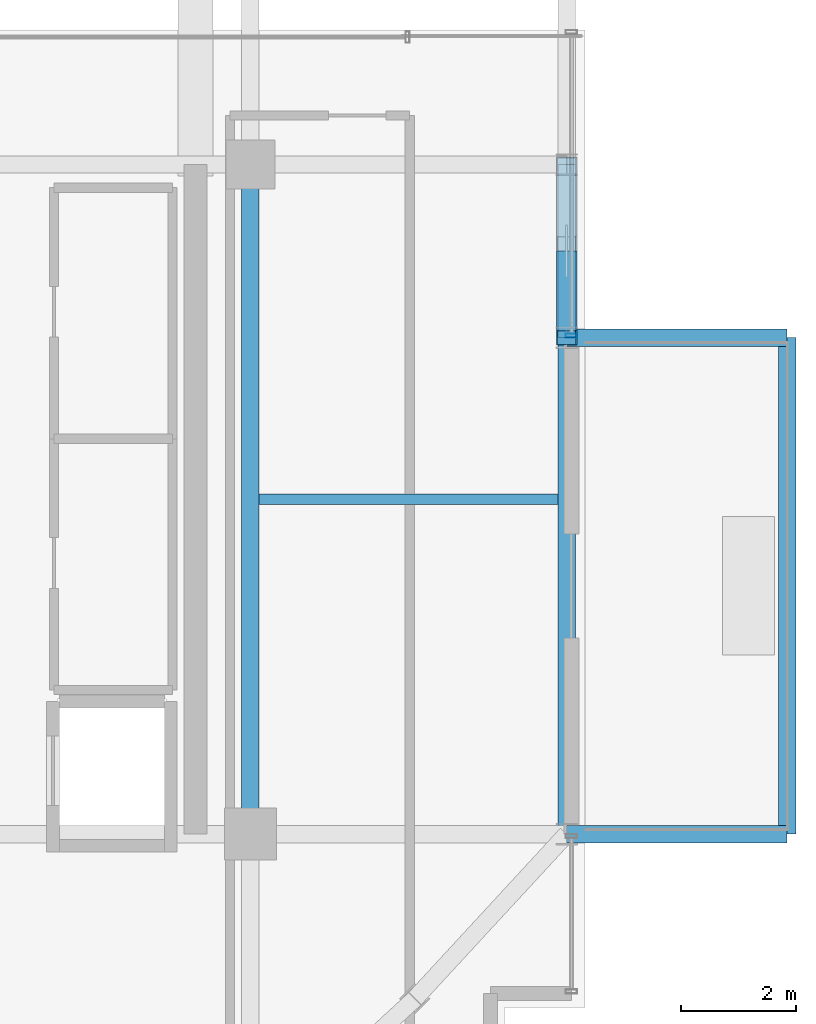
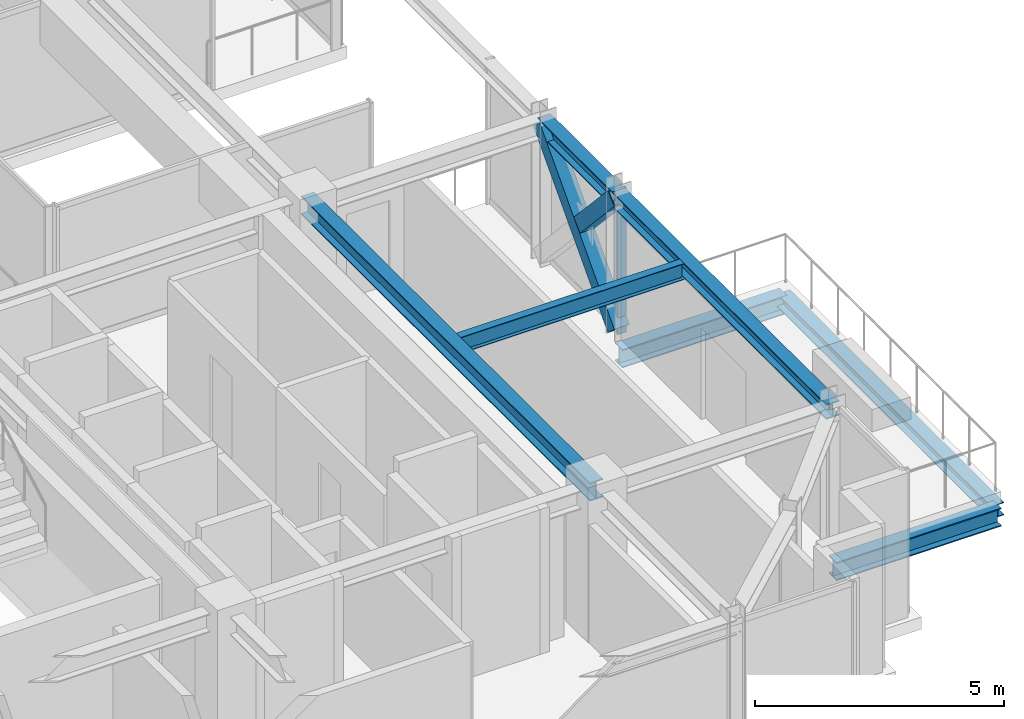
# One storey, part 18 of 39: 7 beams, 3 members, 1 element without a shape of its own.
"""IFC4 building model written with IfcOpenShell, lengths in metres."""

from ifc_helpers import new_model, si_unit, direction, frame, origin, origin_2d, place, context, subcontext, project, spatial, hollow_rectangle, i_section, extrude, source, transform, mapped, material, material_profile, profile_set, type_object, element, aggregate, save


model = new_model("IFC4")

# Units and contexts
model_context = context("Model", 3, precision=1e-05, world=origin(), true_north=direction((0.0, 1.0)))
body_context = subcontext(model_context, "Body", "Model", "MODEL_VIEW")
ifc_project = project(units=[si_unit("LENGTHUNIT", "METRE"), si_unit("AREAUNIT", "SQUARE_METRE"), si_unit("VOLUMEUNIT", "CUBIC_METRE"), si_unit("PLANEANGLEUNIT", "RADIAN"), si_unit("MASSUNIT", "GRAM", prefix="KILO")], contexts=[model_context])

# Site, building, storey
site_placement = place(None, origin())
site = spatial("IfcSite", under=ifc_project, at=site_placement, CompositionType="ELEMENT")
building_placement = place(site_placement, origin())
building = spatial("IfcBuilding", under=site, at=building_placement, Name="Nahalor Promenade Grand Hotel", CompositionType="ELEMENT")
storey_placement = place(building_placement, frame((0.0, 0.0, 311.89990234375)))
storey = spatial("IfcBuildingStorey", under=building, at=storey_placement, Name="L80", CompositionType="ELEMENT", Elevation=311.89990234375)

# Beams
ifc_material_1 = material(Name="Steel S355JR", Category="steel")
ifc_material_profile_1 = material_profile(ifc_material_1, i_section(OverallWidth=0.3, OverallDepth=0.32, WebThickness=0.0115, FlangeThickness=0.0205, at=origin_2d()), Name="HEB 320")
ifc_profile_set_1 = profile_set([ifc_material_profile_1], Name="Steel S355JR")
beam_type_1 = type_object("IfcBeamType", Name="Beam-BalcEdge-HEB320", PredefinedType="SPANDREL", material=ifc_profile_set_1)
shared_shape_1 = source(origin(), body_context, "Body", "SweptSolid", [
    extrude(i_section(OverallWidth=0.3, OverallDepth=0.32, WebThickness=0.0115, FlangeThickness=0.0205, at=origin_2d()), origin(), (0.0, 0.0, 1.0), 8.60009765625),
])
beam_1_placement = place(storey_placement, frame((26.300048828125, -17.0, -0.43994140625), z_axis=(0.0, 1.0, 0.0), x_axis=(-1.0, 0.0, 0.0)))
element("IfcBeam", 1, at=beam_1_placement, inside=storey, type_object=beam_type_1, Name="BM-L80-BC-02-F", PredefinedType="SPANDREL", context=body_context, shape_type="MappedRepresentation", body=[
    mapped(shared_shape_1, transform((0.0, 0.0, 0.0), scale=1.0)),
])
ifc_material_profile_2 = material_profile(ifc_material_1, i_section(OverallWidth=0.3, OverallDepth=0.45, WebThickness=0.014, FlangeThickness=0.026, at=origin_2d()), Name="HEB 450")
ifc_profile_set_2 = profile_set([ifc_material_profile_2], Name="Steel S355JR")
beam_type_2 = type_object("IfcBeamType", Name="Beam-Outrigger-HEB450", PredefinedType="BEAM", material=ifc_profile_set_2)
shared_shape_2 = source(origin(), body_context, "Body", "SweptSolid", [
    extrude(i_section(OverallWidth=0.3, OverallDepth=0.45, WebThickness=0.014, FlangeThickness=0.026, at=origin_2d()), origin(), (0.0, 0.0, 1.0), 3.820068359375),
])
for number, where, z_axis, x_axis, name in (
    (2, (22.47998046875, -17.0, -0.5048828125), (1.0, 0.0, 0.0), (0.0, 1.0, 0.0), "BM-L80-BC-02-1"),
    (3, (22.47998046875, -8.39990234375, -0.5048828125), (1.0, 0.0, 0.0), (0.0, 1.0, 0.0), "BM-L80-BC-02-2"),
):
    element("IfcBeam", number, at=place(storey_placement, frame(where, z_axis=z_axis, x_axis=x_axis)), inside=storey, type_object=beam_type_2, Name=name, PredefinedType="BEAM", context=body_context, shape_type="MappedRepresentation", body=[
        mapped(shared_shape_2, transform((0.0, 0.0, 0.0), scale=1.0)),
    ])
ifc_material_profile_3 = material_profile(ifc_material_1, i_section(OverallWidth=0.3, OverallDepth=0.45, WebThickness=0.014, FlangeThickness=0.026, at=origin_2d()), Name="HEB 450")
ifc_profile_set_3 = profile_set([ifc_material_profile_3], Name="Steel S355JR")
beam_type_3 = type_object("IfcBeamType", Name="Beam-Girder-HEB450", PredefinedType="BEAM", material=ifc_profile_set_3)
shared_shape_3 = source(origin(), body_context, "Body", "SweptSolid", [
    extrude(i_section(OverallWidth=0.3, OverallDepth=0.45, WebThickness=0.014, FlangeThickness=0.026, at=origin_2d()), origin(), (0.0, 0.0, 1.0), 11.60009765625),
])
beam_2_placement = place(storey_placement, frame((17.0, -17.0, 3.3251953125), z_axis=(0.0, 1.0, 0.0), x_axis=(-1.0, 0.0, 0.0)))
element("IfcBeam", 4, at=beam_2_placement, inside=storey, type_object=beam_type_3, Name="BM-L80-GY-5-1", PredefinedType="BEAM", context=body_context, shape_type="MappedRepresentation", body=[
    mapped(shared_shape_3, transform((0.0, 0.0, 0.0), scale=1.0)),
])
ifc_material_profile_4 = material_profile(ifc_material_1, i_section(OverallWidth=0.18, OverallDepth=0.4, WebThickness=0.0086, FlangeThickness=0.0135, at=origin_2d()), Name="IPE 400")
ifc_profile_set_4 = profile_set([ifc_material_profile_4], Name="Steel S355JR")
beam_type_4 = type_object("IfcBeamType", Name="Beam-Joist-IPE400", PredefinedType="JOIST", material=ifc_profile_set_4)
shared_shape_4 = source(origin(), body_context, "Body", "SweptSolid", [
    extrude(i_section(OverallWidth=0.18, OverallDepth=0.4, WebThickness=0.0086, FlangeThickness=0.0135, at=origin_2d()), origin(), (0.0, 0.0, 1.0), 5.18017578125),
])
beam_3_placement = place(storey_placement, frame((17.14990234375, -11.199951171875, 3.35009765625), z_axis=(1.0, 0.0, 0.0), x_axis=(0.0, 1.0, 0.0)))
element("IfcBeam", 5, at=beam_3_placement, inside=storey, type_object=beam_type_4, Name="BM-L80-JSE-0-2", PredefinedType="JOIST", context=body_context, shape_type="MappedRepresentation", body=[
    mapped(shared_shape_4, transform((0.0, 0.0, 0.0), scale=1.0)),
])
ifc_material_profile_5 = material_profile(ifc_material_1, i_section(OverallWidth=0.3, OverallDepth=0.36, WebThickness=0.0125, FlangeThickness=0.0225, at=origin_2d()), Name="HEB 360")
ifc_profile_set_5 = profile_set([ifc_material_profile_5], Name="Steel S355JR")
beam_type_5 = type_object("IfcBeamType", Name="Beam-Spandrel-HEB360", PredefinedType="SPANDREL", material=ifc_profile_set_5)
shared_shape_5 = source(origin(), body_context, "Body", "SweptSolid", [
    extrude(i_section(OverallWidth=0.3, OverallDepth=0.36, WebThickness=0.0125, FlangeThickness=0.0225, at=origin_2d()), origin(), (0.0, 0.0, 1.0), 8.60009765625),
])
beam_4_placement = place(storey_placement, frame((22.47998046875, -17.0, 3.3701171875), z_axis=(0.0, 1.0, 0.0), x_axis=(-1.0, 0.0, 0.0)))
element("IfcBeam", 6, at=beam_4_placement, inside=storey, type_object=beam_type_5, Name="BM-L80-SP-E-0", PredefinedType="SPANDREL", context=body_context, shape_type="MappedRepresentation", body=[
    mapped(shared_shape_5, transform((0.0, 0.0, 0.0), scale=1.0)),
])
shared_shape_6 = source(origin(), body_context, "Body", "SweptSolid", [
    extrude(i_section(OverallWidth=0.3, OverallDepth=0.36, WebThickness=0.0125, FlangeThickness=0.0225, at=origin_2d()), origin(), (0.0, 0.0, 1.0), 3.0),
])
beam_5_placement = place(storey_placement, frame((22.47998046875, -8.39990234375, 3.3701171875), z_axis=(0.0, 1.0, 0.0), x_axis=(-1.0, 0.0, 0.0)))
element("IfcBeam", 7, at=beam_5_placement, inside=storey, type_object=beam_type_5, Name="BM-L80-SP-E-1", PredefinedType="SPANDREL", context=body_context, shape_type="MappedRepresentation", body=[
    mapped(shared_shape_6, transform((0.0, 0.0, 0.0), scale=1.0)),
])

# Members
ifc_material_profile_6 = material_profile(ifc_material_1, hollow_rectangle(XDim=0.35, YDim=0.35, WallThickness=0.02, at=origin_2d()), Name="SHS 350x350x20")
ifc_profile_set_6 = profile_set([ifc_material_profile_6], Name="Steel S355JR")
member_type_1 = type_object("IfcMemberType", Name="Mem-VoidBrace-SHS350", PredefinedType="BRACE", material=ifc_profile_set_6)
shared_shape_7 = source(origin(), body_context, "Body", "SweptSolid", [
    extrude(hollow_rectangle(XDim=0.35, YDim=0.35, WallThickness=0.02, at=origin_2d()), origin(), (0.0, 0.0, 1.0), 4.4228515625),
])
member_1_placement = place(storey_placement, frame((22.47998046875, -8.39990234375, 0.150146484375), z_axis=(0.0, 0.678280102733, 0.734803444627), x_axis=(-1.0, 0.0, 0.0)))
element("IfcMember", 8, at=member_1_placement, inside=storey, type_object=member_type_1, Name="EXO-L80-VX1-E0", PredefinedType="BRACE", context=body_context, shape_type="MappedRepresentation", body=[
    mapped(shared_shape_7, transform((0.0, 0.0, 0.0), scale=1.0)),
])
shared_shape_8 = source(origin(), body_context, "Body", "SweptSolid", [
    extrude(hollow_rectangle(XDim=0.35, YDim=0.35, WallThickness=0.02, at=origin_2d()), origin(), (0.0, 0.0, 1.0), 2.02392578125),
])
member_2_placement = place(storey_placement, frame((22.47998046875, -7.027099609375, 1.912841796875), z_axis=(0.0, -0.678255053132, 0.734826566545), x_axis=(1.0, 0.0, 0.0)))
element("IfcMember", 9, at=member_2_placement, inside=storey, type_object=member_type_1, Name="EXO-L80-VX2-E0B", PredefinedType="BRACE", context=body_context, shape_type="MappedRepresentation", body=[
    mapped(shared_shape_8, transform((0.0, 0.0, 0.0), scale=1.0)),
])

# Curtain wall, member
ifc_material_2 = material(Name="Anodised Bronze Aluminium EN AW-6063 T6", Category="aluminium")
curtain_wall_type = type_object("IfcCurtainWallType", Name="CW3 Elliptical-Void Collar Unitised Curtain Wall", PredefinedType="USERDEFINED", material=ifc_material_2)
curtain_wall_placement = place(storey_placement, origin())
curtain_wall = element("IfcCurtainWall", 10, at=curtain_wall_placement, inside=storey, type_object=curtain_wall_type, Name="L80 Curtain Wall CW-L80-E-3", ObjectType="UNITISED_CURTAIN_WALL", PredefinedType="USERDEFINED")
ifc_material_profile_7 = material_profile(ifc_material_2, hollow_rectangle(XDim=0.07, YDim=0.2, WallThickness=0.005, at=origin_2d()), Name="CWM 70x200x5")
ifc_profile_set_7 = profile_set([ifc_material_profile_7], Name="Anodised Bronze Aluminium EN AW-6063 T6")
member_type_2 = type_object("IfcMemberType", Name="CWM3 Void Collar Mullion 70x200", PredefinedType="MULLION", material=ifc_profile_set_7)
shared_shape_9 = source(origin(), body_context, "Body", "SweptSolid", [
    extrude(hollow_rectangle(XDim=0.07, YDim=0.2, WallThickness=0.005, at=origin_2d()), origin(), (0.0, 0.0, 1.0), 3.550048828125),
])
member_3_placement = place(storey_placement, frame((22.56005859375, -8.364990234375, 0.0), z_axis=(0.0, 0.0, 1.0), x_axis=(0.0, 1.0, 0.0)))
member_3 = element("IfcMember", 11, at=member_3_placement, type_object=member_type_2, Name="CW-L80-E-3 Mullion 0", PredefinedType="MULLION", context=body_context, shape_type="MappedRepresentation", body=[
    mapped(shared_shape_9, transform((0.0, 0.0, 0.0), scale=1.0)),
])
aggregate(curtain_wall, [member_3])

save(model, "model.ifc")
